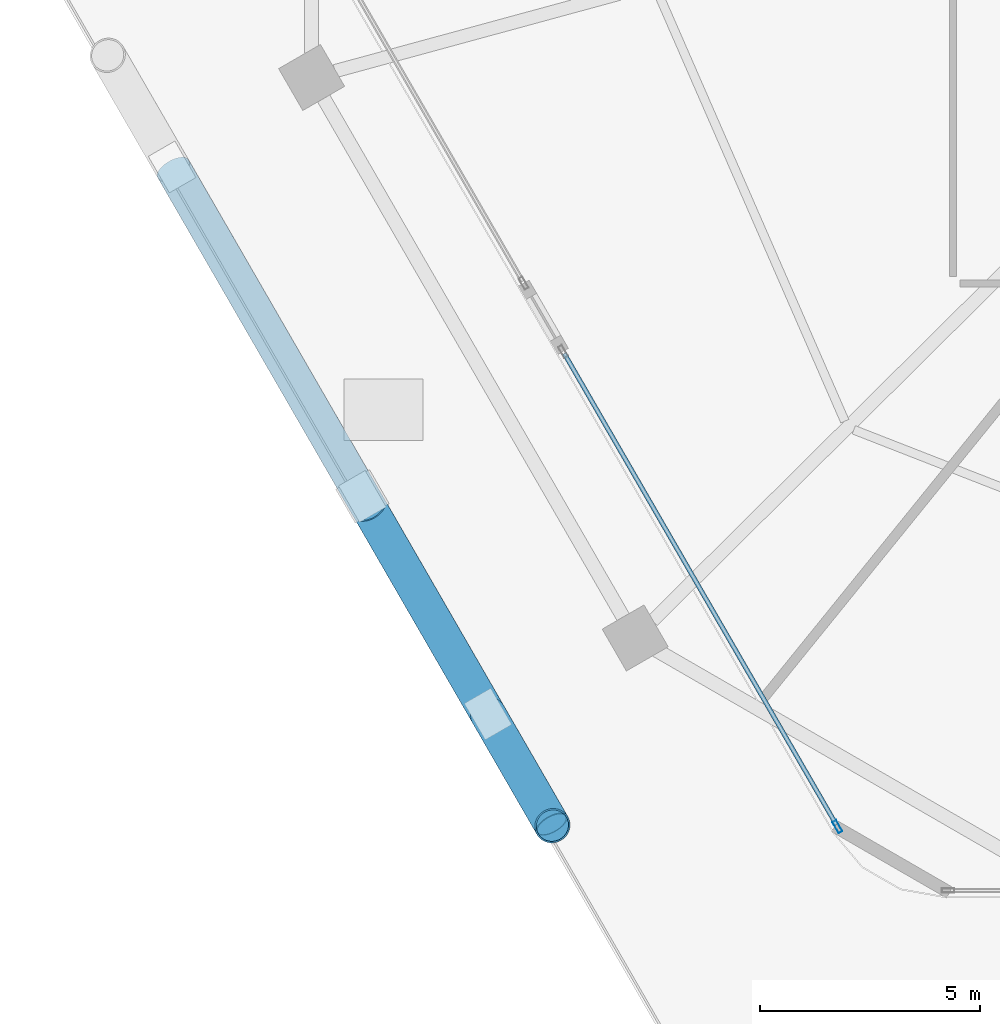
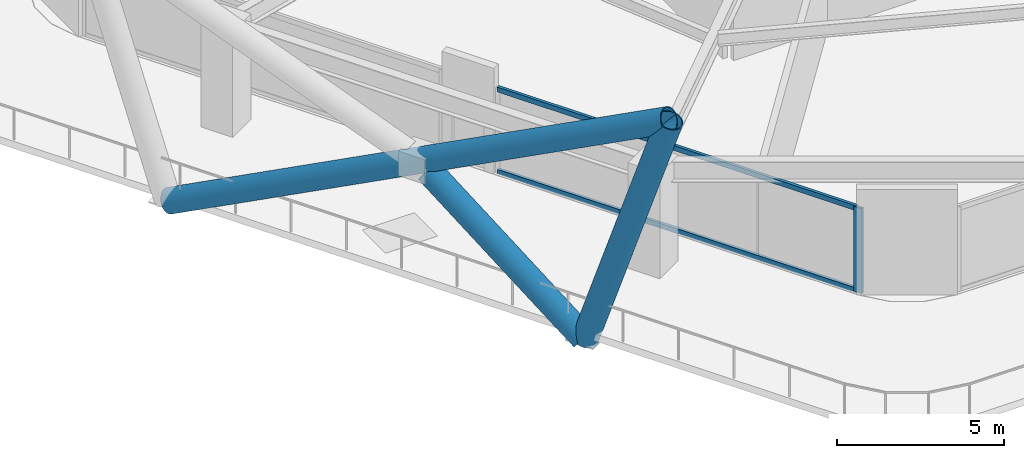
# One storey, part 2 of 28: 6 members, 1 element without a shape of its own.
"""IFC4 building model written with IfcOpenShell, lengths in metres."""

from ifc_helpers import new_model, si_unit, direction, frame, origin, origin_2d, place, context, subcontext, project, spatial, hollow_rectangle, hollow_circle, extrude, material, material_profile, profile_set, type_object, element, aggregate, save


model = new_model("IFC4")

# Units and contexts
model_context = context("Model", 3, precision=1e-05, world=origin(), true_north=direction((0.0, 1.0)))
body_context = subcontext(model_context, "Body", "Model", "MODEL_VIEW")
ifc_project = project(units=[si_unit("LENGTHUNIT", "METRE"), si_unit("AREAUNIT", "SQUARE_METRE"), si_unit("VOLUMEUNIT", "CUBIC_METRE"), si_unit("PLANEANGLEUNIT", "RADIAN"), si_unit("MASSUNIT", "GRAM", prefix="KILO")], contexts=[model_context])

# Site, building, storey
site_placement = place(None, origin())
site = spatial("IfcSite", under=ifc_project, at=site_placement, CompositionType="ELEMENT")
building_placement = place(site_placement, origin())
building = spatial("IfcBuilding", under=site, at=building_placement, Name="Zuhravey Tower", CompositionType="ELEMENT")
storey_placement = place(building_placement, frame((0.0, 0.0, 83.39990234375)))
storey = spatial("IfcBuildingStorey", under=building, at=storey_placement, Name="L20", CompositionType="ELEMENT", Elevation=83.39990234375)

# Members
ifc_material_1 = material(Name="Steel SM460", Category="steel")
ifc_material_profile_1 = material_profile(ifc_material_1, hollow_circle(Radius=0.406494140625, WallThickness=0.035888671875, at=origin_2d()), Name="CHS-812.8x36")
ifc_profile_set_1 = profile_set([ifc_material_profile_1], Name="Steel SM460")
member_type_1 = type_object("IfcMemberType", Name="Exoskeleton Zone 1 Diagrid CHS813x36", PredefinedType="BRACE", material=ifc_profile_set_1)
member_1_placement = place(storey_placement, frame((4.955322265625, 22.334228515625, -0.471923828125), z_axis=(0.443417750143, -0.768021638809, 0.462085988944), x_axis=(0.866025281604, 0.500000211623, 0.0)))
element("IfcMember", 1, at=member_1_placement, inside=storey, type_object=member_type_1, Name="L20 Face 4 Diagrid Brace 2", PredefinedType="BRACE", context=body_context, shape_type="SweptSolid", body=[
    extrude(hollow_circle(Radius=0.406494140625, WallThickness=0.035888671875, at=origin_2d()), origin(), (0.0, 0.0, 1.0), 19.44677734375),
])
member_2_placement = place(storey_placement, frame((12.131591796875, 9.904541015625, -0.471923828125), z_axis=(0.154911570168, -0.268363565529, 0.950780417407), x_axis=(0.866064817651, 0.499931726966, 0.0)))
element("IfcMember", 2, at=member_2_placement, inside=storey, type_object=member_type_1, Name="L20 Face 4 Diagrid Brace 4", PredefinedType="BRACE", context=body_context, shape_type="SweptSolid", body=[
    extrude(hollow_circle(Radius=0.406494140625, WallThickness=0.035888671875, at=origin_2d()), origin(), (0.0, 0.0, 1.0), 9.451171875),
])
member_3_placement = place(storey_placement, frame((12.109130859375, 9.943115234375, -0.46435546875), z_axis=(-0.392523408778, 0.679898338767, 0.619405862503), x_axis=(-0.866034272784, -0.499984638128, 0.0)))
element("IfcMember", 3, at=member_3_placement, inside=storey, type_object=member_type_1, Name="L20 Face 4 Split Diagrid Brace 3A", PredefinedType="BRACE", context=body_context, shape_type="SweptSolid", body=[
    extrude(hollow_circle(Radius=0.406494140625, WallThickness=0.035888671875, at=origin_2d()), origin(), (0.0, 0.0, 1.0), 6.844970703125),
])

# Curtain wall, members
ifc_material_2 = material(Name="Thermally broken anodised aluminium", Category="aluminium")
curtain_wall_type = type_object("IfcCurtainWallType", Name="Sky-Playground Recessed Curtain Wall CW2", PredefinedType="NOTDEFINED", material=ifc_material_2)
curtain_wall_placement = place(storey_placement, origin())
curtain_wall = element("IfcCurtainWall", 4, at=curtain_wall_placement, inside=storey, type_object=curtain_wall_type, Name="L20 CW2 CW-L20-F4-1", PredefinedType="NOTDEFINED")
ifc_material_3 = material(Name="Anodised aluminium", Category="aluminium")
ifc_material_profile_2 = material_profile(ifc_material_3, hollow_rectangle(XDim=0.10009765625, YDim=0.2900390625, WallThickness=0.006103515625, at=origin_2d()), Name="ALU-RHS-100x290x6")
ifc_profile_set_2 = profile_set([ifc_material_profile_2], Name="Anodised aluminium")
member_type_2 = type_object("IfcMemberType", Name="Heavy Tall-Storey Mullion 100x220", PredefinedType="MULLION", material=ifc_profile_set_2)
member_4_placement = place(storey_placement, frame((20.085693359375, 7.347412109375, 0.0), z_axis=(0.0, 0.0, 1.0), x_axis=(-0.866027160758, -0.499996956819, 0.0)))
member_4 = element("IfcMember", 5, at=member_4_placement, type_object=member_type_2, Name="CW2 mullion 1", PredefinedType="MULLION", context=body_context, shape_type="SweptSolid", body=[
    extrude(hollow_rectangle(XDim=0.10009765625, YDim=0.2900390625, WallThickness=0.006103515625, at=origin_2d()), origin(), (0.0, 0.0, 1.0), 3.10009765625),
])
ifc_material_profile_3 = material_profile(ifc_material_3, hollow_rectangle(XDim=0.10009765625, YDim=0.179931640625, WallThickness=0.006103515625, at=origin_2d()), Name="ALU-RHS-100x180x6")
ifc_profile_set_3 = profile_set([ifc_material_profile_3], Name="Anodised aluminium")
member_type_3 = type_object("IfcMemberType", Name="Tall-Storey Transom 100x180", PredefinedType="USERDEFINED", material=ifc_profile_set_3)
member_5_placement = place(storey_placement, frame((20.060791015625, 7.390625, 0.050048828125), z_axis=(-0.499995303914, 0.866028115054, 0.0), x_axis=(-0.866028115054, -0.499995303914, 0.0)))
member_5 = element("IfcMember", 6, at=member_5_placement, type_object=member_type_3, Name="CW2 transom 1.1", ObjectType="TRANSOM", PredefinedType="USERDEFINED", context=body_context, shape_type="SweptSolid", body=[
    extrude(hollow_rectangle(XDim=0.10009765625, YDim=0.179931640625, WallThickness=0.006103515625, at=origin_2d()), origin(), (0.0, 0.0, 1.0), 12.392578125),
])
member_6_placement = place(storey_placement, frame((20.060791015625, 7.390625, 3.050048828125), z_axis=(-0.499995303914, 0.866028115054, 0.0), x_axis=(-0.866028115054, -0.499995303914, 0.0)))
member_6 = element("IfcMember", 7, at=member_6_placement, type_object=member_type_3, Name="CW2 transom 1.2", ObjectType="TRANSOM", PredefinedType="USERDEFINED", context=body_context, shape_type="SweptSolid", body=[
    extrude(hollow_rectangle(XDim=0.10009765625, YDim=0.179931640625, WallThickness=0.006103515625, at=origin_2d()), origin(), (0.0, 0.0, 1.0), 12.392578125),
])
aggregate(curtain_wall, [member_4, member_5, member_6])

save(model, "model.ifc")
